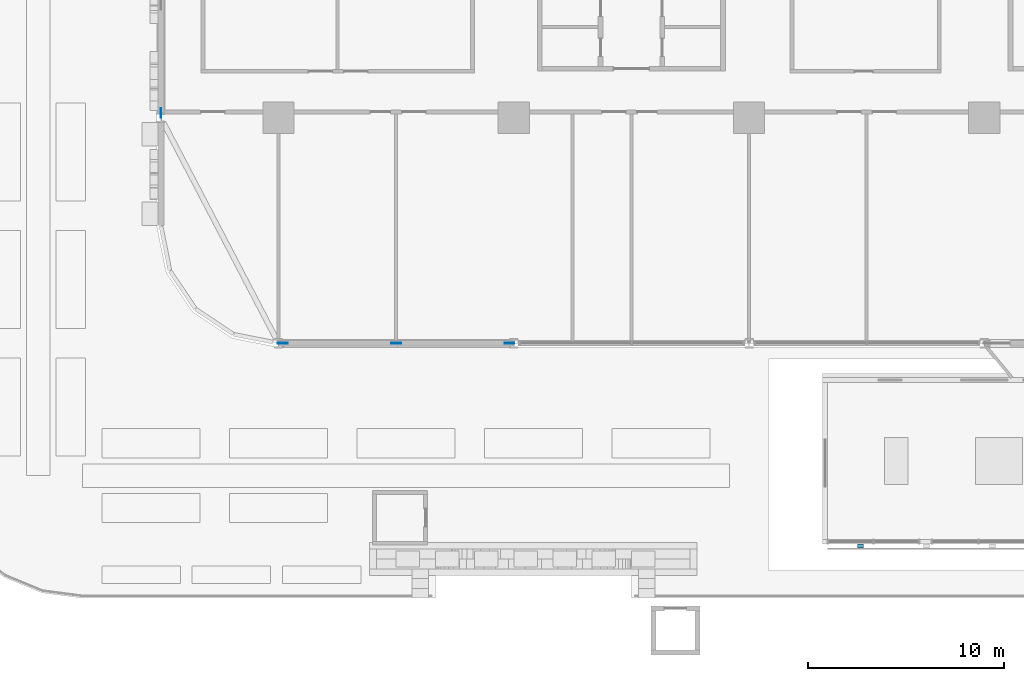
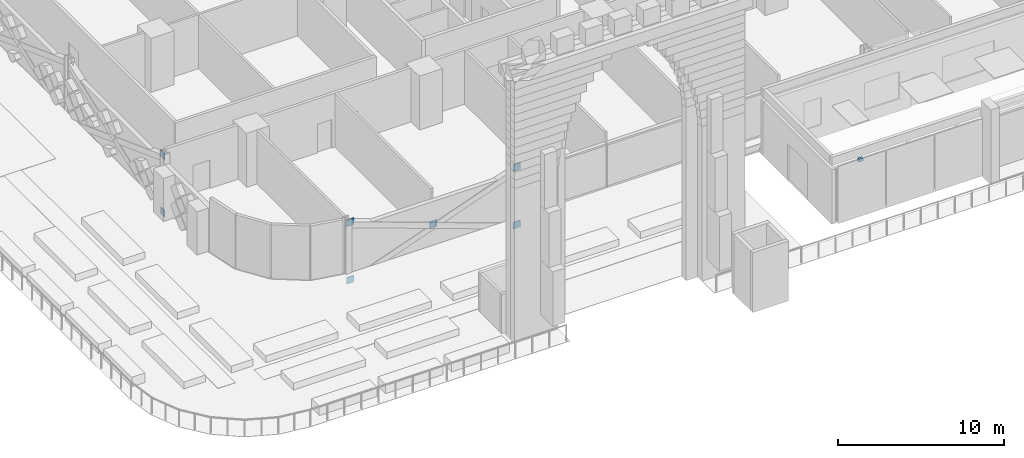
# One storey, part 20 of 39: 8 discrete accessories.
"""IFC4 building model written with IfcOpenShell, lengths in metres."""

from ifc_helpers import new_model, si_unit, direction, frame, origin, origin_2d, place, context, subcontext, project, spatial, rectangle, extrude, material, layer, layer_set, type_object, element, save


model = new_model("IFC4")

# Units and contexts
model_context = context("Model", 3, precision=1e-05, world=origin(), true_north=direction((0.0, 1.0)))
body_context = subcontext(model_context, "Body", "Model", "MODEL_VIEW")
ifc_project = project(units=[si_unit("LENGTHUNIT", "METRE"), si_unit("AREAUNIT", "SQUARE_METRE"), si_unit("VOLUMEUNIT", "CUBIC_METRE"), si_unit("PLANEANGLEUNIT", "RADIAN"), si_unit("MASSUNIT", "GRAM", prefix="KILO")], contexts=[model_context])

# Site, building, storey
site_placement = place(None, origin())
site = spatial("IfcSite", under=ifc_project, at=site_placement, CompositionType="ELEMENT")
building_placement = place(site_placement, origin())
building = spatial("IfcBuilding", under=site, at=building_placement, Name="Mahtab Terrace Research Tower", CompositionType="ELEMENT")
storey_placement = place(building_placement, frame((0.0, 0.0, 7.199951171875)))
storey = spatial("IfcBuildingStorey", under=building, at=storey_placement, Name="L01", CompositionType="ELEMENT", Elevation=7.199951171875)

# Discrete accessories
ifc_material_1 = material(Name="Black anodised aluminium", Category="aluminium")
discrete_accessory_type_1 = type_object("IfcDiscreteAccessoryType", Name="Facade bracket", PredefinedType="BRACKET", material=ifc_material_1)
discrete_accessory_placement = place(storey_placement, frame((-12.316650390625, -33.35009765625, 4.05029296875), z_axis=(0.0, 0.0, 1.0), x_axis=(1.0, 0.0, 0.0)))
element("IfcDiscreteAccessory", 1, at=discrete_accessory_placement, inside=storey, type_object=discrete_accessory_type_1, Name="Screen bracket 1", PredefinedType="BRACKET", context=body_context, shape_type="SweptSolid", body=[
    extrude(rectangle(XDim=0.300048828125, YDim=0.199951171875, at=origin_2d()), origin(), (0.0, 0.0, 1.0), 0.199951171875),
])
ifc_material_2 = material(Name="Steel ASTM A992 Gr 50", Category="steel")
ifc_layer = layer(ifc_material_2, 0.030029296875)
ifc_layer_set = layer_set([ifc_layer], Name="Gusset plate 500x500x30")
discrete_accessory_type_2 = type_object("IfcDiscreteAccessoryType", Name="Gusset plate 500x500x30", PredefinedType="USERDEFINED", material=ifc_layer_set)
for number, where, z_axis, x_axis, name in (
    (2, (-41.7841796875, -23.0, -0.89111328125), (0.0, 0.0, 1.0), (1.0, 0.0, 0.0), "Gusset plate"),
    (3, (-41.7841796875, -23.0, 3.33154296875), (0.0, 0.0, 1.0), (1.0, 0.0, 0.0), "Gusset plate"),
    (4, (-36.0, -23.0, 1.181640625), (0.0, 0.0, 1.0), (1.0, 0.0, 0.0), "Gusset plate"),
    (5, (-30.2158203125, -23.0, -0.89111328125), (0.0, 0.0, 1.0), (1.0, 0.0, 0.0), "Gusset plate"),
    (6, (-30.2158203125, -23.0, 3.33154296875), (0.0, 0.0, 1.0), (1.0, 0.0, 0.0), "Gusset plate"),
    (7, (-48.0, -11.251220703125, -0.875244140625), (0.0, 0.0, 1.0), (0.0, 1.0, 0.0), "Gusset plate"),
    (8, (-48.0, -11.251220703125, 3.33154296875), (0.0, 0.0, 1.0), (0.0, 1.0, 0.0), "Gusset plate"),
):
    element("IfcDiscreteAccessory", number, at=place(storey_placement, frame(where, z_axis=z_axis, x_axis=x_axis)), inside=storey, type_object=discrete_accessory_type_2, Name=name, ObjectType="GUSSET PLATE", PredefinedType="USERDEFINED", context=body_context, shape_type="SweptSolid", body=[
        extrude(rectangle(XDim=0.5, YDim=0.030029296875, at=origin_2d()), origin(), (0.0, 0.0, 1.0), 0.5),
    ])

save(model, "model.ifc")
